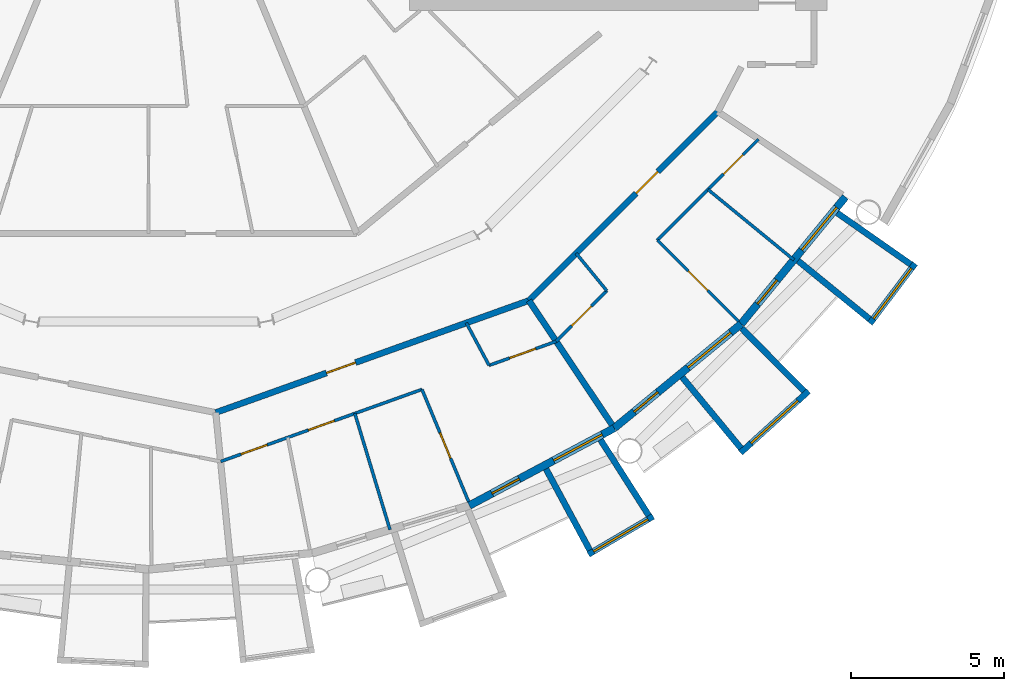
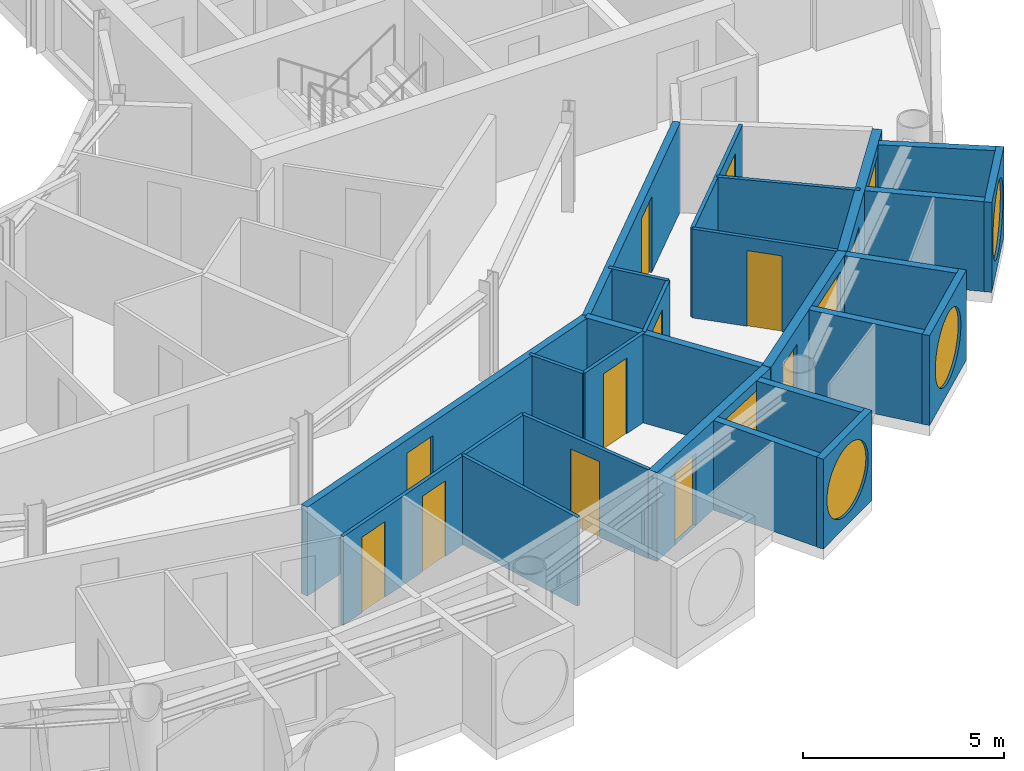
# One storey, part 17 of 28: 25 walls, 12 doors, 6 windows, 18 openings.
"""IFC4 building model written with IfcOpenShell, lengths in metres."""

from ifc_helpers import new_model, si_unit, direction, frame, frame_2d, origin, place, context, subcontext, project, spatial, rectangle, circle, extrude, material, layer, layer_set, type_object, element, fill, save


model = new_model("IFC4")

# Units and contexts
model_context = context("Model", 3, precision=1e-05, world=origin(), true_north=direction((0.0, 1.0)))
body_context = subcontext(model_context, "Body", "Model", "MODEL_VIEW")
ifc_project = project(units=[si_unit("LENGTHUNIT", "METRE"), si_unit("AREAUNIT", "SQUARE_METRE"), si_unit("VOLUMEUNIT", "CUBIC_METRE"), si_unit("PLANEANGLEUNIT", "RADIAN"), si_unit("MASSUNIT", "GRAM", prefix="KILO")], contexts=[model_context])

# Site, building, storey
site_placement = place(None, origin())
site = spatial("IfcSite", under=ifc_project, at=site_placement, CompositionType="ELEMENT")
building_placement = place(site_placement, origin())
building = spatial("IfcBuilding", under=site, at=building_placement, Name="Maasbend Ring Residences", CompositionType="ELEMENT")
storey_placement = place(building_placement, frame((0.0, 0.0, 173.800048828125)))
storey = spatial("IfcBuildingStorey", under=building, at=storey_placement, Name="L50", CompositionType="ELEMENT", Elevation=173.800048828125)

# Wall, opening, door
ifc_material_1 = material(Name="Concrete C30/37", Category="concrete")
ifc_layer_1 = layer(ifc_material_1, 0.199951171875)
ifc_layer_set_1 = layer_set([ifc_layer_1], Name="Concrete C30/37")
wall_type_1 = type_object("IfcWallType", Name="CORRIDOR WALL 200 CONCRETE", PredefinedType="PARTITIONING", material=ifc_layer_set_1)
wall_1_placement = place(storey_placement, frame((12.388916015625, -18.5419921875, 0.0), z_axis=(0.0, 0.0, 1.0), x_axis=(0.707106781187, 0.707106781187, 0.0)))
wall_1 = element("IfcWall", 1, at=wall_1_placement, inside=storey, type_object=wall_type_1, Name="U-L50-w011", PredefinedType="PARTITIONING", context=body_context, shape_type="SweptSolid", body=[
    extrude(rectangle(XDim=8.70166015625, YDim=0.199951171875, at=frame_2d((4.350830078125, 0.0))), origin(), (0.0, 0.0, 1.0), 2.699951171875),
])
opening_1_placement = place(wall_1_placement, frame((4.93798828125, 0.0, 0.0)))
opening_1 = element("IfcOpeningElement", 2, at=opening_1_placement, cuts=wall_1, Name="Opening D-5048", PredefinedType="OPENING", context=body_context, shape_type="SweptSolid", body=[
    extrude(rectangle(XDim=1.0, YDim=2.300048828125, at=frame_2d((0.5, 1.14990234375))), frame((0.0, 0.10986328125, 0.0), z_axis=(0.0, -1.0, 0.0), x_axis=(1.0, 0.0, 0.0)), (0.0, 0.0, 1.0), 0.219970703125),
])
ifc_material_2 = material(Name="Timber, fire-rated, painted", Category="wood")
door_type_1 = type_object("IfcDoorType", Name="FLAT ENTRANCE DOOR 1000 X 2300 FIRE-RATED", OperationType="NOTDEFINED", PredefinedType="DOOR", material=ifc_material_2)
door_1_placement = place(opening_1_placement, origin())
door_1 = element("IfcDoor", 3, at=door_1_placement, inside=storey, type_object=door_type_1, Name="D-5048", OperationType="SINGLE_SWING_RIGHT", OverallHeight=2.300048828125, OverallWidth=1.0, PredefinedType="DOOR", context=body_context, shape_type="SweptSolid", body=[
    extrude(rectangle(XDim=1.0, YDim=2.300048828125, at=frame_2d((0.5, 1.14990234375))), frame((0.0, 0.02490234375, 0.0), z_axis=(0.0, -1.0, 0.0), x_axis=(1.0, 0.0, 0.0)), (0.0, 0.0, 1.0), 0.050048828125),
])
fill(opening_1, door_1)

wall_2_placement = place(storey_placement, frame((2.18603515625, -22.193115234375, 0.0), z_axis=(0.0, 0.0, 1.0), x_axis=(0.941530192736, 0.336928621769, 0.0)))
wall_2 = element("IfcWall", 4, at=wall_2_placement, inside=storey, type_object=wall_type_1, Name="U-L50-w015", PredefinedType="PARTITIONING", context=body_context, shape_type="SweptSolid", body=[
    extrude(rectangle(XDim=10.83642578125, YDim=0.199951171875, at=frame_2d((5.418212890625, 0.0))), origin(), (0.0, 0.0, 1.0), 2.699951171875),
])
opening_2_placement = place(wall_2_placement, frame((3.8349609375, 0.0, 0.0)))
opening_2 = element("IfcOpeningElement", 5, at=opening_2_placement, cuts=wall_2, Name="Opening D-5043", PredefinedType="OPENING", context=body_context, shape_type="SweptSolid", body=[
    extrude(rectangle(XDim=1.0, YDim=2.300048828125, at=frame_2d((0.5, 1.14990234375))), frame((0.0, 0.10986328125, 0.0), z_axis=(0.0, -1.0, 0.0), x_axis=(1.0, 0.0, 0.0)), (0.0, 0.0, 1.0), 0.219970703125),
])
door_2_placement = place(opening_2_placement, origin())
door_2 = element("IfcDoor", 6, at=door_2_placement, inside=storey, type_object=door_type_1, Name="D-5043", OperationType="SINGLE_SWING_LEFT", OverallHeight=2.300048828125, OverallWidth=1.0, PredefinedType="DOOR", context=body_context, shape_type="SweptSolid", body=[
    extrude(rectangle(XDim=1.0, YDim=2.300048828125, at=frame_2d((0.5, 1.14990234375))), frame((0.0, 0.02490234375, 0.0), z_axis=(0.0, -1.0, 0.0), x_axis=(1.0, 0.0, 0.0)), (0.0, 0.0, 1.0), 0.050048828125),
])
fill(opening_2, door_2)

# Wall, opening, window
ifc_material_3 = material(Name="Pale anodised aluminium panel", Category="aluminium")
ifc_layer_2 = layer(ifc_material_3, 0.199951171875)
ifc_layer_set_2 = layer_set([ifc_layer_2], Name="EW-BOX")
wall_type_2 = type_object("IfcWallType", Name="EW-BOX", PredefinedType="SOLIDWALL", material=ifc_layer_set_2)
wall_3_placement = place(storey_placement, frame((14.326904296875, -26.81201171875, -0.030029296875), z_axis=(0.0, 0.0, 1.0), x_axis=(0.862403467503, 0.506221551535, 0.0)))
wall_3 = element("IfcWall", 7, at=wall_3_placement, inside=storey, type_object=wall_type_2, Name="Box front S16", PredefinedType="SOLIDWALL", context=body_context, shape_type="SweptSolid", body=[
    extrude(rectangle(XDim=2.445556640625, YDim=0.199951171875, at=frame_2d((1.22265625, 0.0))), origin(), (0.0, 0.0, 1.0), 2.72998046875),
])
opening_3_placement = place(wall_3_placement, frame((0.182861328125, 0.0, 0.330078125)))
opening_3 = element("IfcOpeningElement", 8, at=opening_3_placement, cuts=wall_3, Name="Opening W-RD", PredefinedType="OPENING", context=body_context, shape_type="SweptSolid", body=[
    extrude(circle(Radius=1.0400390625, at=frame_2d((1.0400390625, 1.0400390625))), frame((0.0, 0.10986328125, 0.0), z_axis=(0.0, -1.0, 0.0), x_axis=(1.0, 0.0, 0.0)), (0.0, 0.0, 1.0), 0.219970703125),
])
ifc_material_4 = material(Name="Aluminium and clear glass", Category="aluminium")
window_type_1 = type_object("IfcWindowType", Name="W-RD", PartitioningType="SINGLE_PANEL", PredefinedType="WINDOW", material=ifc_material_4)
window_1_placement = place(opening_3_placement, origin())
window_1 = element("IfcWindow", 9, at=window_1_placement, inside=storey, type_object=window_type_1, Name="Round window S16", OverallHeight=2.080078125, OverallWidth=2.080078125, PartitioningType="SINGLE_PANEL", PredefinedType="WINDOW", context=body_context, shape_type="SweptSolid", body=[
    extrude(circle(Radius=1.0400390625, at=frame_2d((1.0400390625, 1.0400390625))), frame((0.0, 0.030029296875, 0.0), z_axis=(0.0, -1.0, 0.0), x_axis=(1.0, 0.0, 0.0)), (0.0, 0.0, 1.0), 0.06005859375),
])
fill(opening_3, window_1)

# Walls
wall_4_placement = place(storey_placement, frame((12.945068359375, -24.029052734375, -0.030029296875), z_axis=(0.0, 0.0, 1.0), x_axis=(0.474424310775, -0.88029629861, 0.0)))
element("IfcWall", 10, at=wall_4_placement, inside=storey, type_object=wall_type_2, Name="Box side wall S16 left", PredefinedType="SOLIDWALL", context=body_context, shape_type="SweptSolid", body=[
    extrude(rectangle(XDim=3.005859375, YDim=0.199951171875, at=frame_2d((1.5029296875, 0.0))), origin(), (0.0, 0.0, 1.0), 2.72998046875),
])
wall_5_placement = place(storey_placement, frame((14.721923828125, -23.0791015625, -0.030029296875), z_axis=(0.0, 0.0, 1.0), x_axis=(0.537572179146, -0.843217737129, 0.0)))
element("IfcWall", 11, at=wall_5_placement, inside=storey, type_object=wall_type_2, Name="Box side wall S16 right", PredefinedType="SOLIDWALL", context=body_context, shape_type="SweptSolid", body=[
    extrude(rectangle(XDim=2.92431640625, YDim=0.199951171875, at=frame_2d((1.462158203125, 0.0))), origin(), (0.0, 0.0, 1.0), 2.72998046875),
])

# Wall, opening, window
wall_6_placement = place(storey_placement, frame((19.281982421875, -23.5029296875, -0.030029296875), z_axis=(0.0, 0.0, 1.0), x_axis=(0.740998365753, 0.671506829416, 0.0)))
wall_6 = element("IfcWall", 12, at=wall_6_placement, inside=storey, type_object=wall_type_2, Name="Box front S18", PredefinedType="SOLIDWALL", context=body_context, shape_type="SweptSolid", body=[
    extrude(rectangle(XDim=2.9931640625, YDim=0.199951171875, at=frame_2d((1.49658203125, 0.0))), origin(), (0.0, 0.0, 1.0), 2.72998046875),
])
opening_4_placement = place(wall_6_placement, frame((0.45654296875, 0.0, 0.330078125)))
opening_4 = element("IfcOpeningElement", 13, at=opening_4_placement, cuts=wall_6, Name="Opening W-RD", PredefinedType="OPENING", context=body_context, shape_type="SweptSolid", body=[
    extrude(circle(Radius=1.0400390625, at=frame_2d((1.0400390625, 1.0400390625))), frame((0.0, 0.10986328125, 0.0), z_axis=(0.0, -1.0, 0.0), x_axis=(1.0, 0.0, 0.0)), (0.0, 0.0, 1.0), 0.219970703125),
])
window_2_placement = place(opening_4_placement, origin())
window_2 = element("IfcWindow", 14, at=window_2_placement, inside=storey, type_object=window_type_1, Name="Round window S18", OverallHeight=2.080078125, OverallWidth=2.080078125, PartitioningType="SINGLE_PANEL", PredefinedType="WINDOW", context=body_context, shape_type="SweptSolid", body=[
    extrude(circle(Radius=1.0400390625, at=frame_2d((1.0400390625, 1.0400390625))), frame((0.0, 0.030029296875, 0.0), z_axis=(0.0, -1.0, 0.0), x_axis=(1.0, 0.0, 0.0)), (0.0, 0.0, 1.0), 0.06005859375),
])
fill(opening_4, window_2)

# Walls
wall_7_placement = place(storey_placement, frame((17.384033203125, -21.041015625, -0.030029296875), z_axis=(0.0, 0.0, 1.0), x_axis=(0.63709551667, -0.770784861449, 0.0)))
element("IfcWall", 15, at=wall_7_placement, inside=storey, type_object=wall_type_2, Name="Box side wall S18 left", PredefinedType="SOLIDWALL", context=body_context, shape_type="SweptSolid", body=[
    extrude(rectangle(XDim=3.005859375, YDim=0.199951171875, at=frame_2d((1.5029296875, 0.0))), origin(), (0.0, 0.0, 1.0), 2.72998046875),
])
wall_8_placement = place(storey_placement, frame((19.322998046875, -19.449951171875, -0.030029296875), z_axis=(0.0, 0.0, 1.0), x_axis=(0.704476739375, -0.709727076896, 0.0)))
element("IfcWall", 16, at=wall_8_placement, inside=storey, type_object=wall_type_2, Name="Box side wall S18 right", PredefinedType="SOLIDWALL", context=body_context, shape_type="SweptSolid", body=[
    extrude(rectangle(XDim=2.883056640625, YDim=0.199951171875, at=frame_2d((1.44140625, 0.0))), origin(), (0.0, 0.0, 1.0), 2.72998046875),
])

# Wall, opening, window
wall_9_placement = place(storey_placement, frame((23.4970703125, -19.2890625, -0.030029296875), z_axis=(0.0, 0.0, 1.0), x_axis=(0.602806268067, 0.797887588059, 0.0)))
wall_9 = element("IfcWall", 17, at=wall_9_placement, inside=storey, type_object=wall_type_2, Name="Box front S20", PredefinedType="SOLIDWALL", context=body_context, shape_type="SweptSolid", body=[
    extrude(rectangle(XDim=2.446533203125, YDim=0.199951171875, at=frame_2d((1.22314453125, 0.0))), origin(), (0.0, 0.0, 1.0), 2.72998046875),
])
opening_5_placement = place(wall_9_placement, frame((0.182861328125, 0.0, 0.330078125)))
opening_5 = element("IfcOpeningElement", 18, at=opening_5_placement, cuts=wall_9, Name="Opening W-RD", PredefinedType="OPENING", context=body_context, shape_type="SweptSolid", body=[
    extrude(circle(Radius=1.0400390625, at=frame_2d((1.0400390625, 1.0400390625))), frame((0.0, 0.10986328125, 0.0), z_axis=(0.0, -1.0, 0.0), x_axis=(1.0, 0.0, 0.0)), (0.0, 0.0, 1.0), 0.219970703125),
])
window_3_placement = place(opening_5_placement, origin())
window_3 = element("IfcWindow", 19, at=window_3_placement, inside=storey, type_object=window_type_1, Name="Round window S20", OverallHeight=2.080078125, OverallWidth=2.080078125, PartitioningType="SINGLE_PANEL", PredefinedType="WINDOW", context=body_context, shape_type="SweptSolid", body=[
    extrude(circle(Radius=1.0400390625, at=frame_2d((1.0400390625, 1.0400390625))), frame((0.0, 0.030029296875, 0.0), z_axis=(0.0, -1.0, 0.0), x_axis=(1.0, 0.0, 0.0)), (0.0, 0.0, 1.0), 0.06005859375),
])
fill(opening_5, window_3)

# Walls
wall_10_placement = place(storey_placement, frame((21.155029296875, -17.24609375, -0.030029296875), z_axis=(0.0, 0.0, 1.0), x_axis=(0.775179004516, -0.631741648902, 0.0)))
element("IfcWall", 20, at=wall_10_placement, inside=storey, type_object=wall_type_2, Name="Box side wall S20 left", PredefinedType="SOLIDWALL", context=body_context, shape_type="SweptSolid", body=[
    extrude(rectangle(XDim=3.005859375, YDim=0.199951171875, at=frame_2d((1.5029296875, 0.0))), origin(), (0.0, 0.0, 1.0), 2.72998046875),
])
wall_11_placement = place(storey_placement, frame((22.43310546875, -15.68798828125, -0.030029296875), z_axis=(0.0, 0.0, 1.0), x_axis=(0.819373043115, -0.573260687834, 0.0)))
element("IfcWall", 21, at=wall_11_placement, inside=storey, type_object=wall_type_2, Name="Box side wall S20 right", PredefinedType="SOLIDWALL", context=body_context, shape_type="SweptSolid", body=[
    extrude(rectangle(XDim=2.92529296875, YDim=0.199951171875, at=frame_2d((1.462646484375, 0.0))), origin(), (0.0, 0.0, 1.0), 2.72998046875),
])

# Wall, openings, door, window
ifc_material_5 = material(Name="Aluminium clad insulated panel", Category="aluminium")
ifc_layer_3 = layer(ifc_material_5, 0.25)
ifc_layer_set_3 = layer_set([ifc_layer_3], Name="EW-GL")
wall_type_3 = type_object("IfcWallType", Name="EW-GL", PredefinedType="SOLIDWALL", material=ifc_layer_set_3)
wall_12_placement = place(storey_placement, frame((10.447021484375, -25.221923828125, 0.0), z_axis=(0.0, 0.0, 1.0), x_axis=(0.881915646801, 0.471407246368, 0.0)))
wall_12 = element("IfcWall", 22, at=wall_12_placement, inside=storey, type_object=wall_type_3, Name="External wall S08", PredefinedType="SOLIDWALL", context=body_context, shape_type="SweptSolid", body=[
    extrude(rectangle(XDim=5.35205078125, YDim=0.25, at=frame_2d((2.676025390625, 0.0))), origin(), (0.0, 0.0, 1.0), 2.699951171875),
])
opening_6_placement = place(wall_12_placement, frame((0.841064453125, 0.0, 0.0)))
opening_6 = element("IfcOpeningElement", 23, at=opening_6_placement, cuts=wall_12, Name="Opening D-LG", PredefinedType="OPENING", context=body_context, shape_type="SweptSolid", body=[
    extrude(rectangle(XDim=1.0, YDim=2.199951171875, at=frame_2d((0.5, 1.10009765625))), frame((0.0, 0.135009765625, 0.0), z_axis=(0.0, -1.0, 0.0), x_axis=(1.0, 0.0, 0.0)), (0.0, 0.0, 1.0), 0.27001953125),
])
opening_7_placement = place(wall_12_placement, frame((3.110595703125, 0.0, 0.300048828125)))
opening_7 = element("IfcOpeningElement", 24, at=opening_7_placement, cuts=wall_12, Name="Opening W-BX", PredefinedType="OPENING", context=body_context, shape_type="SweptSolid", body=[
    extrude(rectangle(XDim=1.800048828125, YDim=2.10009765625, at=frame_2d((0.89990234375, 1.050048828125))), frame((0.0, 0.135009765625, 0.0), z_axis=(0.0, -1.0, 0.0), x_axis=(1.0, 0.0, 0.0)), (0.0, 0.0, 1.0), 0.27001953125),
])
ifc_material_6 = material(Name="Aluminium and clear glass", Category="aluminium")
door_type_2 = type_object("IfcDoorType", Name="D-LG", OperationType="SINGLE_SWING_LEFT", PredefinedType="DOOR", material=ifc_material_6)
door_3_placement = place(opening_6_placement, origin())
door_3 = element("IfcDoor", 25, at=door_3_placement, inside=storey, type_object=door_type_2, Name="Loggia door S15", OperationType="SINGLE_SWING_LEFT", OverallHeight=2.199951171875, OverallWidth=1.0, PredefinedType="DOOR", context=body_context, shape_type="SweptSolid", body=[
    extrude(rectangle(XDim=1.0, YDim=2.199951171875, at=frame_2d((0.5, 1.10009765625))), frame((0.0, 0.02490234375, 0.0), z_axis=(0.0, -1.0, 0.0), x_axis=(1.0, 0.0, 0.0)), (0.0, 0.0, 1.0), 0.050048828125),
])
fill(opening_6, door_3)
ifc_material_7 = material(Name="Aluminium and clear glass", Category="aluminium")
window_type_2 = type_object("IfcWindowType", Name="W-BX", PartitioningType="DOUBLE_PANEL_VERTICAL", PredefinedType="WINDOW", material=ifc_material_7)
window_4_placement = place(opening_7_placement, origin())
window_4 = element("IfcWindow", 26, at=window_4_placement, inside=storey, type_object=window_type_2, Name="Window S16 room to box", OverallHeight=2.10009765625, OverallWidth=1.800048828125, PartitioningType="SINGLE_PANEL", PredefinedType="WINDOW", context=body_context, shape_type="SweptSolid", body=[
    extrude(rectangle(XDim=1.800048828125, YDim=2.10009765625, at=frame_2d((0.89990234375, 1.050048828125))), frame((0.0, 0.030029296875, 0.0), z_axis=(0.0, -1.0, 0.0), x_axis=(1.0, 0.0, 0.0)), (0.0, 0.0, 1.0), 0.06005859375),
])
fill(opening_7, window_4)

wall_13_placement = place(storey_placement, frame((15.1669921875, -22.698974609375, 0.0), z_axis=(0.0, 0.0, 1.0), x_axis=(0.773019449054, 0.634382322723, 0.0)))
wall_13 = element("IfcWall", 27, at=wall_13_placement, inside=storey, type_object=wall_type_3, Name="External wall S09", PredefinedType="SOLIDWALL", context=body_context, shape_type="SweptSolid", body=[
    extrude(rectangle(XDim=5.351806640625, YDim=0.25, at=frame_2d((2.67578125, 0.0))), origin(), (0.0, 0.0, 1.0), 2.699951171875),
])
opening_8_placement = place(wall_13_placement, frame((0.841064453125, 0.0, 0.0)))
opening_8 = element("IfcOpeningElement", 28, at=opening_8_placement, cuts=wall_13, Name="Opening D-LG", PredefinedType="OPENING", context=body_context, shape_type="SweptSolid", body=[
    extrude(rectangle(XDim=1.0, YDim=2.199951171875, at=frame_2d((0.5, 1.10009765625))), frame((0.0, 0.135009765625, 0.0), z_axis=(0.0, -1.0, 0.0), x_axis=(1.0, 0.0, 0.0)), (0.0, 0.0, 1.0), 0.27001953125),
])
opening_9_placement = place(wall_13_placement, frame((3.110595703125, 0.0, 0.300048828125)))
opening_9 = element("IfcOpeningElement", 29, at=opening_9_placement, cuts=wall_13, Name="Opening W-BX", PredefinedType="OPENING", context=body_context, shape_type="SweptSolid", body=[
    extrude(rectangle(XDim=1.800048828125, YDim=2.10009765625, at=frame_2d((0.89990234375, 1.050048828125))), frame((0.0, 0.135009765625, 0.0), z_axis=(0.0, -1.0, 0.0), x_axis=(1.0, 0.0, 0.0)), (0.0, 0.0, 1.0), 0.27001953125),
])
door_4_placement = place(opening_8_placement, origin())
door_4 = element("IfcDoor", 30, at=door_4_placement, inside=storey, type_object=door_type_2, Name="Loggia door S17", OperationType="SINGLE_SWING_LEFT", OverallHeight=2.199951171875, OverallWidth=1.0, PredefinedType="DOOR", context=body_context, shape_type="SweptSolid", body=[
    extrude(rectangle(XDim=1.0, YDim=2.199951171875, at=frame_2d((0.5, 1.10009765625))), frame((0.0, 0.02490234375, 0.0), z_axis=(0.0, -1.0, 0.0), x_axis=(1.0, 0.0, 0.0)), (0.0, 0.0, 1.0), 0.050048828125),
])
fill(opening_8, door_4)
window_5_placement = place(opening_9_placement, origin())
window_5 = element("IfcWindow", 31, at=window_5_placement, inside=storey, type_object=window_type_2, Name="Window S18 room to box", OverallHeight=2.10009765625, OverallWidth=1.800048828125, PartitioningType="SINGLE_PANEL", PredefinedType="WINDOW", context=body_context, shape_type="SweptSolid", body=[
    extrude(rectangle(XDim=1.800048828125, YDim=2.10009765625, at=frame_2d((0.89990234375, 1.050048828125))), frame((0.0, 0.030029296875, 0.0), z_axis=(0.0, -1.0, 0.0), x_axis=(1.0, 0.0, 0.0)), (0.0, 0.0, 1.0), 0.06005859375),
])
fill(opening_9, window_5)

wall_14_placement = place(storey_placement, frame((19.303955078125, -19.303955078125, 0.0), z_axis=(0.0, 0.0, 1.0), x_axis=(0.634382322723, 0.773019449054, 0.0)))
wall_14 = element("IfcWall", 32, at=wall_14_placement, inside=storey, type_object=wall_type_3, Name="External wall S10", PredefinedType="SOLIDWALL", context=body_context, shape_type="SweptSolid", body=[
    extrude(rectangle(XDim=5.351806640625, YDim=0.25, at=frame_2d((2.67578125, 0.0))), origin(), (0.0, 0.0, 1.0), 2.699951171875),
])
opening_10_placement = place(wall_14_placement, frame((0.841064453125, 0.0, 0.0)))
opening_10 = element("IfcOpeningElement", 33, at=opening_10_placement, cuts=wall_14, Name="Opening D-LG", PredefinedType="OPENING", context=body_context, shape_type="SweptSolid", body=[
    extrude(rectangle(XDim=1.0, YDim=2.199951171875, at=frame_2d((0.5, 1.10009765625))), frame((0.0, 0.135009765625, 0.0), z_axis=(0.0, -1.0, 0.0), x_axis=(1.0, 0.0, 0.0)), (0.0, 0.0, 1.0), 0.27001953125),
])
opening_11_placement = place(wall_14_placement, frame((3.110595703125, 0.0, 0.300048828125)))
opening_11 = element("IfcOpeningElement", 34, at=opening_11_placement, cuts=wall_14, Name="Opening W-BX", PredefinedType="OPENING", context=body_context, shape_type="SweptSolid", body=[
    extrude(rectangle(XDim=1.800048828125, YDim=2.10009765625, at=frame_2d((0.89990234375, 1.050048828125))), frame((0.0, 0.135009765625, 0.0), z_axis=(0.0, -1.0, 0.0), x_axis=(1.0, 0.0, 0.0)), (0.0, 0.0, 1.0), 0.27001953125),
])
door_5_placement = place(opening_10_placement, origin())
door_5 = element("IfcDoor", 35, at=door_5_placement, inside=storey, type_object=door_type_2, Name="Loggia door S19", OperationType="SINGLE_SWING_LEFT", OverallHeight=2.199951171875, OverallWidth=1.0, PredefinedType="DOOR", context=body_context, shape_type="SweptSolid", body=[
    extrude(rectangle(XDim=1.0, YDim=2.199951171875, at=frame_2d((0.5, 1.10009765625))), frame((0.0, 0.02490234375, 0.0), z_axis=(0.0, -1.0, 0.0), x_axis=(1.0, 0.0, 0.0)), (0.0, 0.0, 1.0), 0.050048828125),
])
fill(opening_10, door_5)
window_6_placement = place(opening_11_placement, origin())
window_6 = element("IfcWindow", 36, at=window_6_placement, inside=storey, type_object=window_type_2, Name="Window S20 room to box", OverallHeight=2.10009765625, OverallWidth=1.800048828125, PartitioningType="SINGLE_PANEL", PredefinedType="WINDOW", context=body_context, shape_type="SweptSolid", body=[
    extrude(rectangle(XDim=1.800048828125, YDim=2.10009765625, at=frame_2d((0.89990234375, 1.050048828125))), frame((0.0, 0.030029296875, 0.0), z_axis=(0.0, -1.0, 0.0), x_axis=(1.0, 0.0, 0.0)), (0.0, 0.0, 1.0), 0.06005859375),
])
fill(opening_11, window_6)

# Wall, opening, door
ifc_material_8 = material(Name="Gypsum board on steel studs", Category="steel")
ifc_layer_4 = layer(ifc_material_8, 0.10009765625)
ifc_layer_set_4 = layer_set([ifc_layer_4], Name="PARTITION 100 GYPSUM")
wall_type_4 = type_object("IfcWallType", Name="PARTITION 100 GYPSUM", PredefinedType="PARTITIONING", material=ifc_layer_set_4)
wall_15_placement = place(storey_placement, frame((13.278076171875, -19.8720703125, 0.0), z_axis=(0.0, 0.0, 1.0), x_axis=(0.707316201218, 0.706897299114, 0.0)))
wall_15 = element("IfcWall", 37, at=wall_15_placement, inside=storey, type_object=wall_type_4, Name="U-L50-w001", PredefinedType="PARTITIONING", context=body_context, shape_type="SweptSolid", body=[
    extrude(rectangle(XDim=2.331298828125, YDim=0.10009765625, at=frame_2d((1.16552734375, 0.0))), origin(), (0.0, 0.0, 1.0), 2.699951171875),
])
opening_12_placement = place(wall_15_placement, frame((0.716064453125, 0.0, 0.0)))
opening_12 = element("IfcOpeningElement", 38, at=opening_12_placement, cuts=wall_15, Name="Opening D-5049", PredefinedType="OPENING", context=body_context, shape_type="SweptSolid", body=[
    extrude(rectangle(XDim=0.89990234375, YDim=2.300048828125, at=frame_2d((0.449951171875, 1.14990234375))), frame((0.0, 0.06005859375, 0.0), z_axis=(0.0, -1.0, 0.0), x_axis=(1.0, 0.0, 0.0)), (0.0, 0.0, 1.0), 0.1201171875),
])
ifc_material_9 = material(Name="Timber, painted", Category="wood")
door_type_3 = type_object("IfcDoorType", Name="INTERNAL DOOR 900 X 2300", OperationType="NOTDEFINED", PredefinedType="DOOR", material=ifc_material_9)
door_6_placement = place(opening_12_placement, origin())
door_6 = element("IfcDoor", 39, at=door_6_placement, inside=storey, type_object=door_type_3, Name="D-5049", OperationType="SINGLE_SWING_RIGHT", OverallHeight=2.300048828125, OverallWidth=0.89990234375, PredefinedType="DOOR", context=body_context, shape_type="SweptSolid", body=[
    extrude(rectangle(XDim=0.89990234375, YDim=2.300048828125, at=frame_2d((0.449951171875, 1.14990234375))), frame((0.0, 0.02490234375, 0.0), z_axis=(0.0, -1.0, 0.0), x_axis=(1.0, 0.0, 0.0)), (0.0, 0.0, 1.0), 0.050048828125),
])
fill(opening_12, door_6)

wall_16_placement = place(storey_placement, frame((16.569091796875, -16.5830078125, 0.0), z_axis=(0.0, 0.0, 1.0), x_axis=(0.707316201218, 0.706897299114, 0.0)))
wall_16 = element("IfcWall", 40, at=wall_16_placement, inside=storey, type_object=wall_type_4, Name="U-L50-w002", PredefinedType="PARTITIONING", context=body_context, shape_type="SweptSolid", body=[
    extrude(rectangle(XDim=4.66259765625, YDim=0.10009765625, at=frame_2d((2.331298828125, 0.0))), origin(), (0.0, 0.0, 1.0), 2.699951171875),
])
opening_13_placement = place(wall_16_placement, frame((3.054931640625, 0.0, 0.0)))
opening_13 = element("IfcOpeningElement", 41, at=opening_13_placement, cuts=wall_16, Name="Opening D-5051", PredefinedType="OPENING", context=body_context, shape_type="SweptSolid", body=[
    extrude(rectangle(XDim=0.89990234375, YDim=2.300048828125, at=frame_2d((0.449951171875, 1.14990234375))), frame((0.0, 0.06005859375, 0.0), z_axis=(0.0, -1.0, 0.0), x_axis=(1.0, 0.0, 0.0)), (0.0, 0.0, 1.0), 0.1201171875),
])
door_7_placement = place(opening_13_placement, origin())
door_7 = element("IfcDoor", 42, at=door_7_placement, inside=storey, type_object=door_type_3, Name="D-5051", OperationType="SINGLE_SWING_RIGHT", OverallHeight=2.300048828125, OverallWidth=0.89990234375, PredefinedType="DOOR", context=body_context, shape_type="SweptSolid", body=[
    extrude(rectangle(XDim=0.89990234375, YDim=2.300048828125, at=frame_2d((0.449951171875, 1.14990234375))), frame((0.0, 0.02490234375, 0.0), z_axis=(0.0, -1.0, 0.0), x_axis=(1.0, 0.0, 0.0)), (0.0, 0.0, 1.0), 0.050048828125),
])
fill(opening_13, door_7)

# Wall, openings, doors
wall_17_placement = place(storey_placement, frame((2.346923828125, -23.785888671875, 0.0), z_axis=(0.0, 0.0, 1.0), x_axis=(0.941468908751, 0.33709982773, 0.0)))
wall_17 = element("IfcWall", 43, at=wall_17_placement, inside=storey, type_object=wall_type_4, Name="U-L50-w005", PredefinedType="PARTITIONING", context=body_context, shape_type="SweptSolid", body=[
    extrude(rectangle(XDim=6.968017578125, YDim=0.10009765625, at=frame_2d((3.48388671875, 0.0))), origin(), (0.0, 0.0, 1.0), 2.699951171875),
])
opening_14_placement = place(wall_17_placement, frame((3.033935546875, 0.0, 0.0)))
opening_14 = element("IfcOpeningElement", 44, at=opening_14_placement, cuts=wall_17, Name="Opening D-5046", PredefinedType="OPENING", context=body_context, shape_type="SweptSolid", body=[
    extrude(rectangle(XDim=0.89990234375, YDim=2.300048828125, at=frame_2d((0.449951171875, 1.14990234375))), frame((0.0, 0.06005859375, 0.0), z_axis=(0.0, -1.0, 0.0), x_axis=(1.0, 0.0, 0.0)), (0.0, 0.0, 1.0), 0.1201171875),
])
opening_15_placement = place(wall_17_placement, frame((0.7080078125, 0.0, 0.0)))
opening_15 = element("IfcOpeningElement", 45, at=opening_15_placement, cuts=wall_17, Name="Opening D-5047", PredefinedType="OPENING", context=body_context, shape_type="SweptSolid", body=[
    extrude(rectangle(XDim=0.89990234375, YDim=2.300048828125, at=frame_2d((0.449951171875, 1.14990234375))), frame((0.0, 0.06005859375, 0.0), z_axis=(0.0, -1.0, 0.0), x_axis=(1.0, 0.0, 0.0)), (0.0, 0.0, 1.0), 0.1201171875),
])
door_8_placement = place(opening_14_placement, origin())
door_8 = element("IfcDoor", 46, at=door_8_placement, inside=storey, type_object=door_type_3, Name="D-5046", OperationType="SINGLE_SWING_RIGHT", OverallHeight=2.300048828125, OverallWidth=0.89990234375, PredefinedType="DOOR", context=body_context, shape_type="SweptSolid", body=[
    extrude(rectangle(XDim=0.89990234375, YDim=2.300048828125, at=frame_2d((0.449951171875, 1.14990234375))), frame((0.0, 0.02490234375, 0.0), z_axis=(0.0, -1.0, 0.0), x_axis=(1.0, 0.0, 0.0)), (0.0, 0.0, 1.0), 0.050048828125),
])
fill(opening_14, door_8)
door_9_placement = place(opening_15_placement, origin())
door_9 = element("IfcDoor", 47, at=door_9_placement, inside=storey, type_object=door_type_3, Name="D-5047", OperationType="SINGLE_SWING_LEFT", OverallHeight=2.300048828125, OverallWidth=0.89990234375, PredefinedType="DOOR", context=body_context, shape_type="SweptSolid", body=[
    extrude(rectangle(XDim=0.89990234375, YDim=2.300048828125, at=frame_2d((0.449951171875, 1.14990234375))), frame((0.0, 0.02490234375, 0.0), z_axis=(0.0, -1.0, 0.0), x_axis=(1.0, 0.0, 0.0)), (0.0, 0.0, 1.0), 0.050048828125),
])
fill(opening_15, door_9)

# Wall, opening, door
wall_18_placement = place(storey_placement, frame((11.091064453125, -20.655029296875, 0.0), z_axis=(0.0, 0.0, 1.0), x_axis=(0.941484831917, 0.337055353422, 0.0)))
wall_18 = element("IfcWall", 48, at=wall_18_placement, inside=storey, type_object=wall_type_4, Name="U-L50-w006", PredefinedType="PARTITIONING", context=body_context, shape_type="SweptSolid", body=[
    extrude(rectangle(XDim=2.322998046875, YDim=0.10009765625, at=frame_2d((1.16162109375, 0.0))), origin(), (0.0, 0.0, 1.0), 2.699951171875),
])
opening_16_placement = place(wall_18_placement, frame((0.7109375, 0.0, 0.0)))
opening_16 = element("IfcOpeningElement", 49, at=opening_16_placement, cuts=wall_18, Name="Opening D-5044", PredefinedType="OPENING", context=body_context, shape_type="SweptSolid", body=[
    extrude(rectangle(XDim=0.89990234375, YDim=2.300048828125, at=frame_2d((0.449951171875, 1.14990234375))), frame((0.0, 0.06005859375, 0.0), z_axis=(0.0, -1.0, 0.0), x_axis=(1.0, 0.0, 0.0)), (0.0, 0.0, 1.0), 0.1201171875),
])
door_10_placement = place(opening_16_placement, origin())
door_10 = element("IfcDoor", 50, at=door_10_placement, inside=storey, type_object=door_type_3, Name="D-5044", OperationType="SINGLE_SWING_RIGHT", OverallHeight=2.300048828125, OverallWidth=0.89990234375, PredefinedType="DOOR", context=body_context, shape_type="SweptSolid", body=[
    extrude(rectangle(XDim=0.89990234375, YDim=2.300048828125, at=frame_2d((0.449951171875, 1.14990234375))), frame((0.0, 0.02490234375, 0.0), z_axis=(0.0, -1.0, 0.0), x_axis=(1.0, 0.0, 0.0)), (0.0, 0.0, 1.0), 0.050048828125),
])
fill(opening_16, door_10)

# Walls
wall_19_placement = place(storey_placement, frame((13.927001953125, -17.00390625, 0.0), z_axis=(0.0, 0.0, 1.0), x_axis=(0.633861186344, -0.773446828454, 0.0)))
element("IfcWall", 51, at=wall_19_placement, inside=storey, type_object=wall_type_4, Name="U-L50-w031", PredefinedType="PARTITIONING", context=body_context, shape_type="SweptSolid", body=[
    extrude(rectangle(XDim=1.57763671875, YDim=0.10009765625, at=frame_2d((0.788818359375, 0.0))), origin(), (0.0, 0.0, 1.0), 2.699951171875),
])
wall_20_placement = place(storey_placement, frame((6.717041015625, -22.219970703125, 0.0), z_axis=(0.0, 0.0, 1.0), x_axis=(0.289292320694, -0.957240802091, 0.0)))
element("IfcWall", 52, at=wall_20_placement, inside=storey, type_object=wall_type_4, Name="U-L50-w075", PredefinedType="PARTITIONING", context=body_context, shape_type="SweptSolid", body=[
    extrude(rectangle(XDim=3.96142578125, YDim=0.10009765625, at=frame_2d((1.980712890625, 0.0))), origin(), (0.0, 0.0, 1.0), 2.699951171875),
])

# Wall, opening, door
wall_21_placement = place(storey_placement, frame((8.904052734375, -21.43701171875, 0.0), z_axis=(0.0, 0.0, 1.0), x_axis=(0.383639475888, -0.923482946535, 0.0)))
wall_21 = element("IfcWall", 53, at=wall_21_placement, inside=storey, type_object=wall_type_4, Name="U-L50-w078", PredefinedType="PARTITIONING", context=body_context, shape_type="SweptSolid", body=[
    extrude(rectangle(XDim=3.962158203125, YDim=0.10009765625, at=frame_2d((1.98095703125, 0.0))), origin(), (0.0, 0.0, 1.0), 2.699951171875),
])
opening_17_placement = place(wall_21_placement, frame((1.531005859375, 0.0, 0.0)))
opening_17 = element("IfcOpeningElement", 54, at=opening_17_placement, cuts=wall_21, Name="Opening D-5045", PredefinedType="OPENING", context=body_context, shape_type="SweptSolid", body=[
    extrude(rectangle(XDim=0.89990234375, YDim=2.300048828125, at=frame_2d((0.449951171875, 1.14990234375))), frame((0.0, 0.06005859375, 0.0), z_axis=(0.0, -1.0, 0.0), x_axis=(1.0, 0.0, 0.0)), (0.0, 0.0, 1.0), 0.1201171875),
])
door_11_placement = place(opening_17_placement, origin())
door_11 = element("IfcDoor", 55, at=door_11_placement, inside=storey, type_object=door_type_3, Name="D-5045", OperationType="SINGLE_SWING_LEFT", OverallHeight=2.300048828125, OverallWidth=0.89990234375, PredefinedType="DOOR", context=body_context, shape_type="SweptSolid", body=[
    extrude(rectangle(XDim=0.89990234375, YDim=2.300048828125, at=frame_2d((0.449951171875, 1.14990234375))), frame((0.0, 0.02490234375, 0.0), z_axis=(0.0, -1.0, 0.0), x_axis=(1.0, 0.0, 0.0)), (0.0, 0.0, 1.0), 0.050048828125),
])
fill(opening_17, door_11)

wall_22_placement = place(storey_placement, frame((16.574951171875, -16.574951171875, 0.0), z_axis=(0.0, 0.0, 1.0), x_axis=(0.707106781187, -0.707106781187, 0.0)))
wall_22 = element("IfcWall", 56, at=wall_22_placement, inside=storey, type_object=wall_type_4, Name="U-L50-w086", PredefinedType="PARTITIONING", context=body_context, shape_type="SweptSolid", body=[
    extrude(rectangle(XDim=3.735107421875, YDim=0.10009765625, at=frame_2d((1.86767578125, 0.0))), origin(), (0.0, 0.0, 1.0), 2.699951171875),
])
opening_18_placement = place(wall_22_placement, frame((1.41796875, 0.0, 0.0)))
opening_18 = element("IfcOpeningElement", 57, at=opening_18_placement, cuts=wall_22, Name="Opening D-5050", PredefinedType="OPENING", context=body_context, shape_type="SweptSolid", body=[
    extrude(rectangle(XDim=0.89990234375, YDim=2.300048828125, at=frame_2d((0.449951171875, 1.14990234375))), frame((0.0, 0.06005859375, 0.0), z_axis=(0.0, -1.0, 0.0), x_axis=(1.0, 0.0, 0.0)), (0.0, 0.0, 1.0), 0.1201171875),
])
door_12_placement = place(opening_18_placement, origin())
door_12 = element("IfcDoor", 58, at=door_12_placement, inside=storey, type_object=door_type_3, Name="D-5050", OperationType="SINGLE_SWING_RIGHT", OverallHeight=2.300048828125, OverallWidth=0.89990234375, PredefinedType="DOOR", context=body_context, shape_type="SweptSolid", body=[
    extrude(rectangle(XDim=0.89990234375, YDim=2.300048828125, at=frame_2d((0.449951171875, 1.14990234375))), frame((0.0, 0.02490234375, 0.0), z_axis=(0.0, -1.0, 0.0), x_axis=(1.0, 0.0, 0.0)), (0.0, 0.0, 1.0), 0.050048828125),
])
fill(opening_18, door_12)

# Walls
wall_23_placement = place(storey_placement, frame((18.22412109375, -14.927001953125, 0.0), z_axis=(0.0, 0.0, 1.0), x_axis=(0.773548271597, -0.633737383709, 0.0)))
element("IfcWall", 59, at=wall_23_placement, inside=storey, type_object=wall_type_4, Name="U-L50-w088", PredefinedType="PARTITIONING", context=body_context, shape_type="SweptSolid", body=[
    extrude(rectangle(XDim=3.6181640625, YDim=0.10009765625, at=frame_2d((1.80908203125, 0.0))), origin(), (0.0, 0.0, 1.0), 2.699951171875),
])
wall_24_placement = place(storey_placement, frame((10.34912109375, -19.27197265625, 0.0), z_axis=(0.0, 0.0, 1.0), x_axis=(0.472726382089, -0.881209264407, 0.0)))
element("IfcWall", 60, at=wall_24_placement, inside=storey, type_object=wall_type_4, Name="U-L50-w093", PredefinedType="PARTITIONING", context=body_context, shape_type="SweptSolid", body=[
    extrude(rectangle(XDim=1.569580078125, YDim=0.10009765625, at=frame_2d((0.78466796875, 0.0))), origin(), (0.0, 0.0, 1.0), 2.699951171875),
])
ifc_material_10 = material(Name="Concrete C30/37", Category="concrete")
ifc_layer_5 = layer(ifc_material_10, 0.199951171875)
ifc_layer_set_5 = layer_set([ifc_layer_5], Name="Concrete C30/37")
wall_type_5 = type_object("IfcWallType", Name="PARTY WALL 200 CONCRETE", PredefinedType="PARTITIONING", material=ifc_layer_set_5)
wall_25_placement = place(storey_placement, frame((12.388916015625, -18.5419921875, 0.0), z_axis=(0.0, 0.0, 1.0), x_axis=(0.55569370664, -0.831387096605, 0.0)))
element("IfcWall", 61, at=wall_25_placement, inside=storey, type_object=wall_type_5, Name="U-L50-w083", PredefinedType="PARTITIONING", context=body_context, shape_type="SweptSolid", body=[
    extrude(rectangle(XDim=4.875, YDim=0.199951171875, at=frame_2d((2.4375, 0.0))), origin(), (0.0, 0.0, 1.0), 2.699951171875),
])

save(model, "model.ifc")
